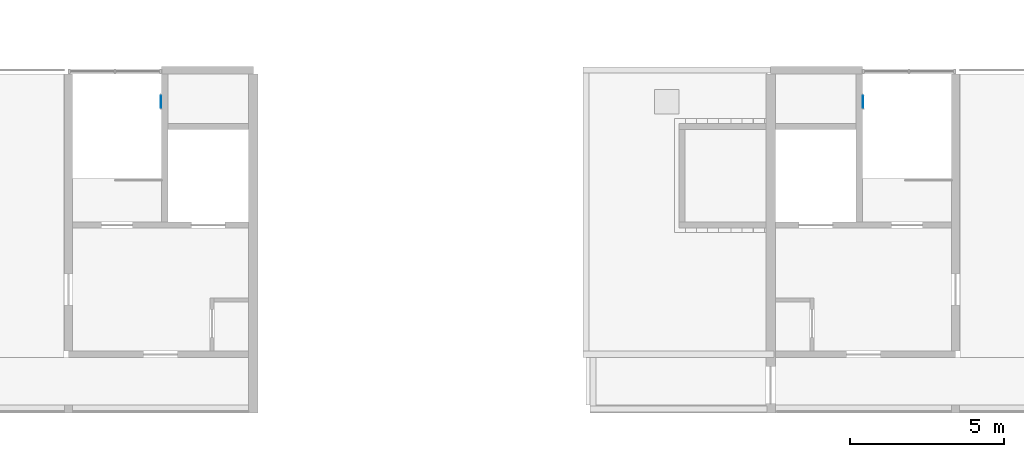
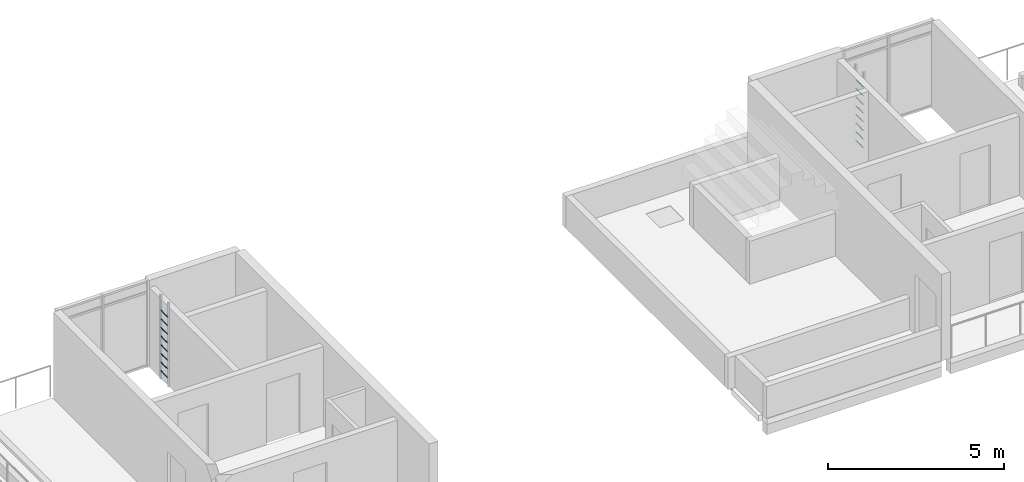
# One storey, part 17 of 33: 16 members.
"""IFC4 building model written with IfcOpenShell, lengths in metres."""

from ifc_helpers import new_model, si_unit, direction, frame, origin, origin_2d, place, context, subcontext, project, spatial, circle, extrude, material, material_profile, profile_set, type_object, element, save


model = new_model("IFC4")

# Units and contexts
model_context = context("Model", 3, precision=1e-05, world=origin(), true_north=direction((0.0, 1.0)))
body_context = subcontext(model_context, "Body", "Model", "MODEL_VIEW")
ifc_project = project(units=[si_unit("LENGTHUNIT", "METRE"), si_unit("AREAUNIT", "SQUARE_METRE"), si_unit("VOLUMEUNIT", "CUBIC_METRE"), si_unit("PLANEANGLEUNIT", "RADIAN"), si_unit("MASSUNIT", "GRAM", prefix="KILO")], contexts=[model_context])

# Site, building, storey
site_placement = place(None, origin())
site = spatial("IfcSite", under=ifc_project, at=site_placement, CompositionType="ELEMENT")
building_placement = place(site_placement, origin())
building = spatial("IfcBuilding", under=site, at=building_placement, Name="Ridgestep Commons", CompositionType="ELEMENT")
storey_placement = place(building_placement, frame((0.0, 0.0, 42.0)))
storey = spatial("IfcBuildingStorey", under=building, at=storey_placement, Name="L14", CompositionType="ELEMENT", Elevation=42.0)

# Members
ifc_material = material(Name="Structural steel S355JR", Category="steel")
ifc_material_profile = material_profile(ifc_material, circle(Radius=0.010009765625, at=origin_2d()), Name="Round bar 20")
ifc_profile_set = profile_set([ifc_material_profile], Name="Structural steel S355JR")
member_type = type_object("IfcMemberType", Name="Core ladder rung 20", PredefinedType="STRINGER", material=ifc_profile_set)
for number, where, z_axis, x_axis, name in (
    (1, (194.199951171875, 21.64990234375, 0.300048828125), (0.0, 1.0, 0.0), (-1.0, 0.0, 0.0), "Ladder rung D3C.1"),
    (2, (194.199951171875, 21.64990234375, 0.60009765625), (0.0, 1.0, 0.0), (-1.0, 0.0, 0.0), "Ladder rung D3C.2"),
    (3, (194.199951171875, 21.64990234375, 0.89990234375), (0.0, 1.0, 0.0), (-1.0, 0.0, 0.0), "Ladder rung D3C.3"),
    (4, (194.199951171875, 21.64990234375, 1.199951171875), (0.0, 1.0, 0.0), (-1.0, 0.0, 0.0), "Ladder rung D3C.4"),
    (5, (194.199951171875, 21.64990234375, 1.5), (0.0, 1.0, 0.0), (-1.0, 0.0, 0.0), "Ladder rung D3C.5"),
    (6, (194.199951171875, 21.64990234375, 1.800048828125), (0.0, 1.0, 0.0), (-1.0, 0.0, 0.0), "Ladder rung D3C.6"),
    (7, (194.199951171875, 21.64990234375, 2.10009765625), (0.0, 1.0, 0.0), (-1.0, 0.0, 0.0), "Ladder rung D3C.7"),
    (8, (194.199951171875, 21.64990234375, 2.39990234375), (0.0, 1.0, 0.0), (-1.0, 0.0, 0.0), "Ladder rung D3C.8"),
    (9, (217.0, 21.64990234375, 0.300048828125), (0.0, 1.0, 0.0), (-1.0, 0.0, 0.0), "Ladder rung D5C.1"),
    (10, (217.0, 21.64990234375, 0.60009765625), (0.0, 1.0, 0.0), (-1.0, 0.0, 0.0), "Ladder rung D5C.2"),
    (11, (217.0, 21.64990234375, 0.89990234375), (0.0, 1.0, 0.0), (-1.0, 0.0, 0.0), "Ladder rung D5C.3"),
    (12, (217.0, 21.64990234375, 1.199951171875), (0.0, 1.0, 0.0), (-1.0, 0.0, 0.0), "Ladder rung D5C.4"),
    (13, (217.0, 21.64990234375, 1.5), (0.0, 1.0, 0.0), (-1.0, 0.0, 0.0), "Ladder rung D5C.5"),
    (14, (217.0, 21.64990234375, 1.800048828125), (0.0, 1.0, 0.0), (-1.0, 0.0, 0.0), "Ladder rung D5C.6"),
    (15, (217.0, 21.64990234375, 2.10009765625), (0.0, 1.0, 0.0), (-1.0, 0.0, 0.0), "Ladder rung D5C.7"),
    (16, (217.0, 21.64990234375, 2.39990234375), (0.0, 1.0, 0.0), (-1.0, 0.0, 0.0), "Ladder rung D5C.8"),
):
    element("IfcMember", number, at=place(storey_placement, frame(where, z_axis=z_axis, x_axis=x_axis)), inside=storey, type_object=member_type, Name=name, PredefinedType="STRINGER", context=body_context, shape_type="SweptSolid", body=[
        extrude(circle(Radius=0.010009765625, at=origin_2d()), origin(), (0.0, 0.0, 1.0), 0.400146484375),
    ])

save(model, "model.ifc")
